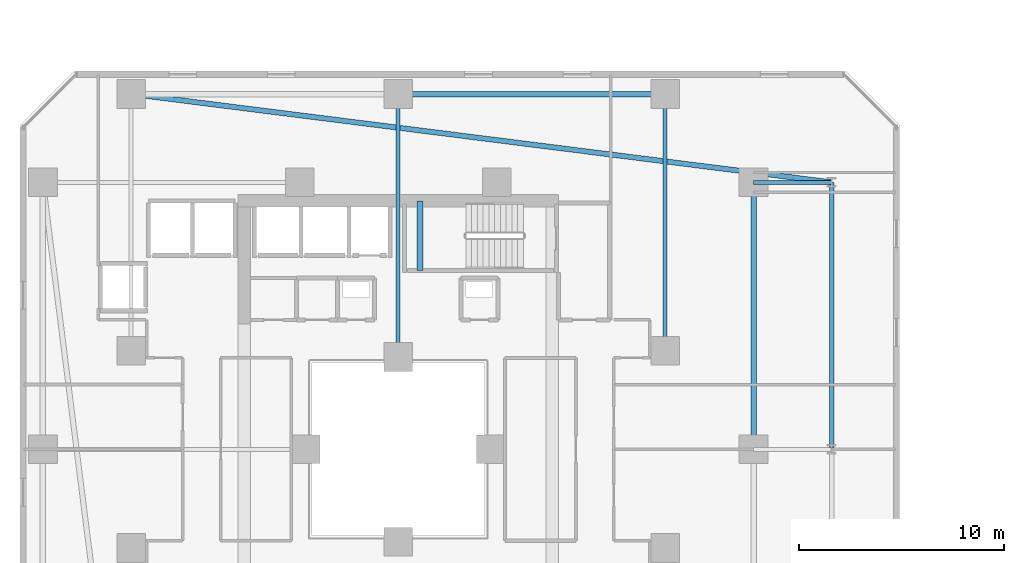
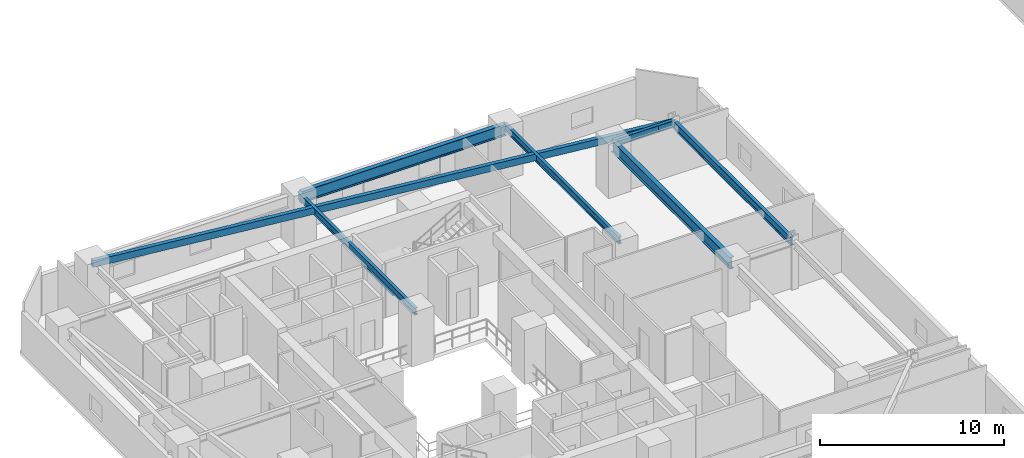
# One storey, part 9 of 36: 8 beams.
"""IFC4 building model written with IfcOpenShell, lengths in metres."""

from ifc_helpers import new_model, si_unit, direction, frame, origin, origin_2d, place, context, subcontext, project, spatial, rectangle, hollow_rectangle, i_section, extrude, material, material_profile, profile_set, type_object, element, save


model = new_model("IFC4")

# Units and contexts
model_context = context("Model", 3, precision=1e-05, world=origin(), true_north=direction((0.0, 1.0)))
body_context = subcontext(model_context, "Body", "Model", "MODEL_VIEW")
ifc_project = project(units=[si_unit("LENGTHUNIT", "METRE"), si_unit("AREAUNIT", "SQUARE_METRE"), si_unit("VOLUMEUNIT", "CUBIC_METRE"), si_unit("PLANEANGLEUNIT", "RADIAN"), si_unit("MASSUNIT", "GRAM", prefix="KILO")], contexts=[model_context])

# Site, building, storey
site_placement = place(None, origin())
site = spatial("IfcSite", under=ifc_project, at=site_placement, CompositionType="ELEMENT")
building_placement = place(site_placement, origin())
building = spatial("IfcBuilding", under=site, at=building_placement, Name="Thornwick Lancets Civic Towers", CompositionType="ELEMENT")
storey_placement = place(building_placement, frame((0.0, 0.0, 68.10009765625)))
storey = spatial("IfcBuildingStorey", under=building, at=storey_placement, Name="L17", CompositionType="ELEMENT", Elevation=68.10009765625)

# Beams
ifc_material_1 = material(Name="Steel S355JR", Category="steel")
ifc_material_profile_1 = material_profile(ifc_material_1, i_section(OverallWidth=0.2119140625, OverallDepth=0.54443359375, WebThickness=0.0126953125, FlangeThickness=0.021240234375, FilletRadius=0.0126953125, at=origin_2d()), Name="UKB 533x210x122")
ifc_profile_set_1 = profile_set([ifc_material_profile_1], Name="Steel S355JR")
beam_type_1 = type_object("IfcBeamType", Name="BM_EDGE_533_122", PredefinedType="SPANDREL", material=ifc_profile_set_1)
beam_1_placement = place(storey_placement, frame((46.60009765625, 27.080078125, 3.007568359375), z_axis=(0.0, 1.0, 0.0), x_axis=(-1.0, 0.0, 0.0)))
element("IfcBeam", 1, at=beam_1_placement, inside=storey, type_object=beam_type_1, Name="BM-EDGE-L17-A-S1-2", PredefinedType="SPANDREL", context=body_context, shape_type="SweptSolid", body=[
    extrude(i_section(OverallWidth=0.2119140625, OverallDepth=0.54443359375, WebThickness=0.0126953125, FlangeThickness=0.021240234375, FilletRadius=0.0126953125, at=origin_2d()), origin(), (0.0, 0.0, 1.0), 12.919921875),
])
ifc_material_profile_2 = material_profile(ifc_material_1, i_section(OverallWidth=0.26806640625, OverallDepth=0.769775390625, WebThickness=0.015625, FlangeThickness=0.025390625, FilletRadius=0.0166015625, at=origin_2d()), Name="UKB 762x267x197")
ifc_profile_set_2 = profile_set([ifc_material_profile_2], Name="Steel S355JR")
beam_type_2 = type_object("IfcBeamType", Name="BM_GIRD_762_197", PredefinedType="BEAM", material=ifc_profile_set_2)
for number, where, z_axis, x_axis, name in (
    (2, (42.800048828125, 27.080078125, 2.89501953125), (0.0, 1.0, 0.0), (-1.0, 0.0, 0.0), "BM-SPINE-L17-A-4-5"),
    (3, (25.580078125, 44.300048828125, 2.89501953125), (1.0, 0.0, 0.0), (0.0, 1.0, 0.0), "BM-SPINE-L17-A-7-8"),
):
    element("IfcBeam", number, at=place(storey_placement, frame(where, z_axis=z_axis, x_axis=x_axis)), inside=storey, type_object=beam_type_2, Name=name, PredefinedType="BEAM", context=body_context, shape_type="SweptSolid", body=[
        extrude(i_section(OverallWidth=0.26806640625, OverallDepth=0.769775390625, WebThickness=0.015625, FlangeThickness=0.025390625, FilletRadius=0.0166015625, at=origin_2d()), origin(), (0.0, 0.0, 1.0), 12.919921875),
    ])
ifc_material_profile_3 = material_profile(ifc_material_1, i_section(OverallWidth=0.19287109375, OverallDepth=0.46728515625, WebThickness=0.011474609375, FlangeThickness=0.01953125, FilletRadius=0.01025390625, at=origin_2d()), Name="UKB 457x191x98")
ifc_profile_set_3 = profile_set([ifc_material_profile_3], Name="Steel S355JR")
beam_type_3 = type_object("IfcBeamType", Name="BM_JOIST_457_98", PredefinedType="JOIST", material=ifc_profile_set_3)
beam_2_placement = place(storey_placement, frame((42.800048828125, 40.0, 3.04638671875), z_axis=(1.0, 0.0, 0.0), x_axis=(0.0, 1.0, 0.0)))
element("IfcBeam", 4, at=beam_2_placement, inside=storey, type_object=beam_type_3, Name="BM-RAD-L17-A06", PredefinedType="JOIST", context=body_context, shape_type="SweptSolid", body=[
    extrude(i_section(OverallWidth=0.19287109375, OverallDepth=0.46728515625, WebThickness=0.011474609375, FlangeThickness=0.01953125, FilletRadius=0.01025390625, at=origin_2d()), origin(), (0.0, 0.0, 1.0), 3.800048828125),
])
beam_3_placement = place(storey_placement, frame((25.5, 31.5, 3.04638671875), z_axis=(0.0, 1.0, 0.0), x_axis=(-1.0, 0.0, 0.0)))
element("IfcBeam", 5, at=beam_3_placement, inside=storey, type_object=beam_type_3, Name="BM-RADIN-L17-A08", PredefinedType="JOIST", context=body_context, shape_type="SweptSolid", body=[
    extrude(i_section(OverallWidth=0.19287109375, OverallDepth=0.46728515625, WebThickness=0.011474609375, FlangeThickness=0.01953125, FilletRadius=0.01025390625, at=origin_2d()), origin(), (0.0, 0.0, 1.0), 12.800048828125),
])
beam_4_placement = place(storey_placement, frame((38.5, 31.800048828125, 3.04638671875), z_axis=(0.0, 1.0, 0.0), x_axis=(-1.0, 0.0, 0.0)))
element("IfcBeam", 6, at=beam_4_placement, inside=storey, type_object=beam_type_3, Name="BM-RADIN-L17-A09", PredefinedType="JOIST", context=body_context, shape_type="SweptSolid", body=[
    extrude(i_section(OverallWidth=0.19287109375, OverallDepth=0.46728515625, WebThickness=0.011474609375, FlangeThickness=0.01953125, FilletRadius=0.01025390625, at=origin_2d()), origin(), (0.0, 0.0, 1.0), 12.5),
])
ifc_material_profile_4 = material_profile(ifc_material_1, hollow_rectangle(XDim=0.25, YDim=0.449951171875, WallThickness=0.01611328125, at=origin_2d()), Name="RHS 450x250x16")
ifc_profile_set_4 = profile_set([ifc_material_profile_4], Name="Steel S355JR")
beam_type_4 = type_object("IfcBeamType", Name="BM_RING_RHS450", PredefinedType="BEAM", material=ifc_profile_set_4)
beam_5_placement = place(storey_placement, frame((46.60009765625, 40.0, 3.054931640625), z_axis=(-0.992142878225, 0.12510998836, 0.0), x_axis=(-0.12510998836, -0.992142878225, 0.0)))
element("IfcBeam", 7, at=beam_5_placement, inside=storey, type_object=beam_type_4, Name="BM-CHAMF-L17-A-C1", PredefinedType="BEAM", context=body_context, shape_type="SweptSolid", body=[
    extrude(hollow_rectangle(XDim=0.25, YDim=0.449951171875, WallThickness=0.01611328125, at=origin_2d()), origin(), (0.0, 0.0, 1.0), 34.3701171875),
])
ifc_material_2 = material(Name="Concrete C40/50", Category="concrete")
ifc_material_profile_5 = material_profile(ifc_material_2, rectangle(XDim=0.300048828125, YDim=0.35009765625, at=origin_2d()), Name="RC 300x350")
ifc_profile_set_5 = profile_set([ifc_material_profile_5], Name="Concrete C40/50")
beam_type_5 = type_object("IfcBeamType", Name="BM_STAIR_LDG", PredefinedType="BEAM", material=ifc_profile_set_5)
beam_6_placement = place(storey_placement, frame((26.56494140625, 39.10009765625, 1.3779296875), z_axis=(0.0, -1.0, 0.0), x_axis=(1.0, 0.0, 0.0)))
element("IfcBeam", 8, at=beam_6_placement, inside=storey, type_object=beam_type_5, Name="L17 ST-A2 Landing Support Beam 1", PredefinedType="BEAM", context=body_context, shape_type="SweptSolid", body=[
    extrude(rectangle(XDim=0.300048828125, YDim=0.35009765625, at=origin_2d()), origin(), (0.0, 0.0, 1.0), 3.400146484375),
])

save(model, "model.ifc")
